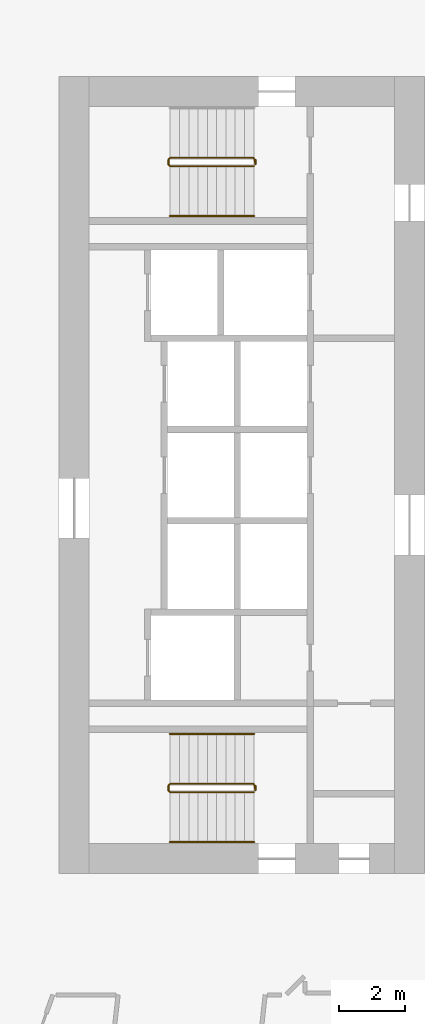
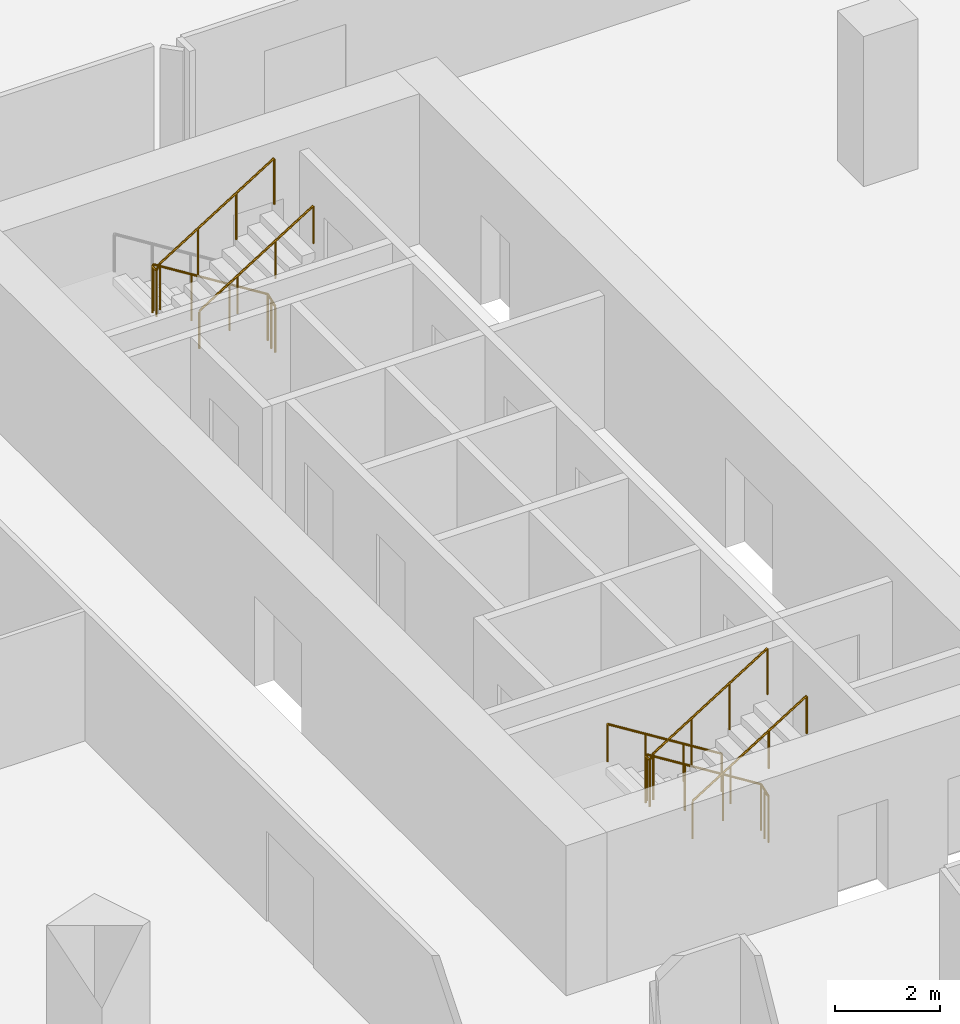
# One storey, part 34 of 38: 5 railings.
"""IFC4 building model written with IfcOpenShell, lengths in metres."""

import ifcopenshell
import ifcopenshell.guid

model = None  # the IFC model being written
_history = None  # IfcOwnerHistory: only IFC2X3 demands one
_inside = {}  # id of a spatial element -> (the spatial element, [elements in it])
_under = {}  # id of a project, library or spatial element -> (it, [spatial elements below it])
_declared = {}  # id of a project -> (the project, [libraries it declares])
_typed = {}  # id of a type object -> (the type object, [elements of that type])
_made_of = {}  # id of a material, layer set ... -> (it, [elements and type objects made of it])


def new_model(schema):
    """Start an empty IFC model of exactly this schema.

    Asked for "IFC4X3", IfcOpenShell would pick the latest addendum, in which some entities
    have other attributes; the version numbers below select the first issue.
    IFC2X3 requires an IfcOwnerHistory on every rooted entity: one is made here for all.
    """
    global model, _history
    if schema == "IFC4X3":
        model = ifcopenshell.file(schema_version=(4, 3, 0, 0))
    else:
        model = ifcopenshell.file(schema=schema)
    _inside.clear()
    _under.clear()
    _declared.clear()
    _typed.clear()
    _made_of.clear()
    _history = None
    if model.schema == "IFC2X3":
        org = make("IfcOrganization", Name="unknown")
        user = make(
            "IfcPersonAndOrganization",
            ThePerson=make("IfcPerson", FamilyName="unknown"),
            TheOrganization=org,
        )
        app = make(
            "IfcApplication",
            ApplicationDeveloper=org,
            Version="unknown",
            ApplicationFullName="unknown",
            ApplicationIdentifier="unknown",
        )
        _history = make(
            "IfcOwnerHistory",
            OwningUser=user,
            OwningApplication=app,
            ChangeAction="ADDED",
            CreationDate=0,
        )
    return model


def make(cls, **values):
    """One entity of the class cls with the attributes given. An attribute that is None is left unset."""
    return model.create_entity(
        cls, **{name: value for name, value in values.items() if value is not None}
    )


def rooted(cls, **values):
    """An entity with a GlobalId (a new one), such as an element, a storey or a relation."""
    return make(cls, GlobalId=ifcopenshell.guid.new(), OwnerHistory=_history, **values)


def si_unit(unit_type, name, prefix=None):
    """IfcSIUnit, for example si_unit("LENGTHUNIT", "METRE", prefix="MILLI")."""
    return make("IfcSIUnit", UnitType=unit_type, Prefix=prefix, Name=name)


def assignment(units):
    """IfcUnitAssignment: the units of a project."""
    return None if units is None else make("IfcUnitAssignment", Units=units)


def point(xyz):
    """IfcCartesianPoint."""
    return None if xyz is None else make("IfcCartesianPoint", Coordinates=xyz)


def direction(xyz):
    """IfcDirection."""
    return None if xyz is None else make("IfcDirection", DirectionRatios=xyz)


def frame(location, z_axis=None, x_axis=None):
    """IfcAxis2Placement3D, a coordinate frame: its origin and axes. An axis left out is left unset."""
    return make(
        "IfcAxis2Placement3D",
        Location=point(location),
        Axis=direction(z_axis),
        RefDirection=direction(x_axis),
    )


def frame_2d(location, x_axis=None):
    """IfcAxis2Placement2D, a coordinate frame in the plane: its origin and x axis."""
    return make(
        "IfcAxis2Placement2D", Location=point(location), RefDirection=direction(x_axis)
    )


def origin():
    """The frame at (0, 0, 0) with its axes left unset."""
    return frame((0.0, 0.0, 0.0))


def origin_2d():
    """The frame at (0, 0) in the plane with its x axis left unset."""
    return frame_2d((0.0, 0.0))


def place(relative_to, where):
    """IfcLocalPlacement: puts the frame where relative to a parent placement (None: the world)."""
    return make(
        "IfcLocalPlacement", PlacementRelTo=relative_to, RelativePlacement=where
    )


def context(
    kind, dimensions, precision=None, world=None, true_north=None, identifier=None
):
    """IfcGeometricRepresentationContext, for example the 3D "Model" context."""
    return make(
        "IfcGeometricRepresentationContext",
        ContextIdentifier=identifier,
        ContextType=kind,
        CoordinateSpaceDimension=dimensions,
        Precision=precision,
        WorldCoordinateSystem=world,
        TrueNorth=true_north,
    )


def subcontext(parent, identifier, kind, view, scale=None):
    """IfcGeometricRepresentationSubContext, for example "Body" below "Model"."""
    return make(
        "IfcGeometricRepresentationSubContext",
        ContextIdentifier=identifier,
        ContextType=kind,
        ParentContext=parent,
        TargetScale=scale,
        TargetView=view,
    )


def project(units=None, contexts=None):
    """IfcProject with its units and contexts."""
    return rooted(
        "IfcProject",
        Name="project",
        RepresentationContexts=contexts,
        UnitsInContext=assignment(units),
    )


def spatial(cls, under=None, at=None, **own):
    """A site, building, storey or space (cls), placed at a placement, below another one or the project."""
    s = rooted(cls, ObjectPlacement=at, **own)
    if under is not None:
        _under.setdefault(under.id(), (under, []))[1].append(s)
    return s


def profile(cls, at=None, kind="AREA", **sizes):
    """A parametric profile (cls). Its sizes go by their IFC names, for example OverallWidth=200.0."""
    return make(cls, ProfileType=kind, Position=at, **sizes)


def circle(**sizes):
    """IfcCircleProfileDef."""
    return profile("IfcCircleProfileDef", **sizes)


def extrude(swept, where, along, depth):
    """IfcExtrudedAreaSolid: the profile swept, set in the frame where, extruded along a direction by depth."""
    return make(
        "IfcExtrudedAreaSolid",
        SweptArea=swept,
        Position=where,
        ExtrudedDirection=direction(along),
        Depth=depth,
    )


def shape(context_of_items, identifier, shape_type, items):
    """IfcShapeRepresentation: the items that make up one representation, for example the "Body"."""
    return make(
        "IfcShapeRepresentation",
        ContextOfItems=context_of_items,
        RepresentationIdentifier=identifier,
        RepresentationType=shape_type,
        Items=items,
    )


def material(Name=None, Category=None):
    """IfcMaterial."""
    return make("IfcMaterial", Name=Name, Category=Category)


def made_of(thing, what):
    """Note that an element or type object is made of a material, layer set ...; save() writes the relation."""
    if what is not None:
        _made_of.setdefault(what.id(), (what, []))[1].append(thing)
    return thing


def type_object(cls, material=None, **own):
    """A type object (cls), such as IfcWallType, which elements share."""
    return made_of(rooted(cls, **own), material)


def element(
    cls,
    number,
    at=None,
    inside=None,
    cuts=None,
    type_object=None,
    material=None,
    context=None,
    identifier="Body",
    shape_type=None,
    held_by="IfcProductDefinitionShape",
    body=None,
    shapes=None,
    **own,
):
    """One element of the class cls, such as IfcWall. Its Tag is "e" and its number.

    at: its placement. inside: the storey or other place that contains it. cuts: it is an
    opening in that element (IfcRelVoidsElement). A single representation is given by context,
    identifier, shape_type and body (its items); several are given by shapes. held_by: the class
    of the entity that holds the representations. save() writes the other relations.
    """
    e = rooted(cls, Tag="e%d" % number, ObjectPlacement=at, **own)
    if body is not None:
        shapes = [shape(context, identifier, shape_type, body)]
    if shapes is not None:
        e.Representation = make(held_by, Representations=shapes)
    if inside is not None:
        _inside.setdefault(inside.id(), (inside, []))[1].append(e)
    if cuts is not None:
        rooted(
            "IfcRelVoidsElement", RelatingBuildingElement=cuts, RelatedOpeningElement=e
        )
    if type_object is not None:
        _typed.setdefault(type_object.id(), (type_object, []))[1].append(e)
    return made_of(e, material)


def aggregate(whole, parts):
    """IfcRelAggregates: a whole, such as a stair, and the parts it consists of."""
    return rooted("IfcRelAggregates", RelatingObject=whole, RelatedObjects=parts)


def save(model, path):
    """Write the relations noted so far, then the file.

    IfcRelAggregates (storeys below a building ...), IfcRelContainedInSpatialStructure (elements
    in a storey), IfcRelDefinesByType, IfcRelAssociatesMaterial and IfcRelDeclares: one each for
    every whole, place, type object, material and project.
    """
    for whole, parts in _under.values():
        aggregate(whole, parts)
    for where, things in _inside.values():
        rooted(
            "IfcRelContainedInSpatialStructure",
            RelatedElements=things,
            RelatingStructure=where,
        )
    for kind, things in _typed.values():
        rooted("IfcRelDefinesByType", RelatedObjects=things, RelatingType=kind)
    for what, things in _made_of.values():
        rooted("IfcRelAssociatesMaterial", RelatedObjects=things, RelatingMaterial=what)
    for by, libraries in _declared.values():
        rooted("IfcRelDeclares", RelatingContext=by, RelatedDefinitions=libraries)
    model.write(path)


model = new_model("IFC4")

# Units and contexts
model_context = context("Model", 3, precision=1e-05, world=origin(), true_north=direction((0.0, 1.0)))
body_context = subcontext(model_context, "Body", "Model", "MODEL_VIEW")
ifc_project = project(units=[si_unit("LENGTHUNIT", "METRE"), si_unit("AREAUNIT", "SQUARE_METRE"), si_unit("VOLUMEUNIT", "CUBIC_METRE"), si_unit("PLANEANGLEUNIT", "RADIAN"), si_unit("MASSUNIT", "GRAM", prefix="KILO")], contexts=[model_context])

# Site, building, storey
site_placement = place(None, origin())
site = spatial("IfcSite", under=ifc_project, at=site_placement, CompositionType="ELEMENT")
building_placement = place(site_placement, origin())
building = spatial("IfcBuilding", under=site, at=building_placement, Name="Orlundy Tower", CompositionType="ELEMENT")
storey_placement = place(building_placement, frame((0.0, 0.0, 69.300048828125)))
storey = spatial("IfcBuildingStorey", under=building, at=storey_placement, Name="L16", CompositionType="ELEMENT", Elevation=69.300048828125)

# Railings
ifc_material_1 = material(Name="Steel balustrade", Category="steel")
railing_type_1 = type_object("IfcRailingType", Name="Stair Guard 1100", PredefinedType="GUARDRAIL", material=ifc_material_1)
railing_1_placement = place(storey_placement, frame((-13.090087890625, 9.5, 0.0)))
element("IfcRailing", 1, at=railing_1_placement, inside=storey, type_object=railing_type_1, Name="L16 ST-W1 stair guard 1", PredefinedType="GUARDRAIL", context=body_context, shape_type="SweptSolid", body=[
    extrude(circle(Radius=0.02392578125, at=origin_2d()), frame((0.0, 0.0, 1.076171875), z_axis=(0.0, -1.0, 0.0), x_axis=(1.0, 0.0, 0.0)), (0.0, 0.0, 1.0), 0.14990234375),
    extrude(circle(Radius=0.02392578125, at=origin_2d()), frame((0.0, -0.14990234375, 1.076171875), z_axis=(-0.18420542264, 0.739530593833, 0.647427882513), x_axis=(-0.970351222016, -0.241699205484, 0.0)), (0.0, 0.0, 1.0), 0.270263671875),
    extrude(circle(Radius=0.02392578125, at=origin_2d()), frame((-0.0498046875, 0.050048828125, 1.2509765625), z_axis=(-0.848007534815, 0.0, 0.529984170421), x_axis=(0.0, -1.0, 0.0)), (0.0, 0.0, 1.0), 2.9716796875),
    extrude(circle(Radius=0.02392578125, at=origin_2d()), frame((-2.56982421875, 0.050048828125, 2.826171875), z_axis=(-0.707106781187, -0.707106781187, 0.0), x_axis=(0.707106781187, -0.707106781187, 0.0)), (0.0, 0.0, 1.0), 0.07080078125),
    extrude(circle(Radius=0.02392578125, at=origin_2d()), frame((-2.619873046875, 0.0, 2.826171875), z_axis=(0.0, -1.0, 0.0), x_axis=(1.0, 0.0, 0.0)), (0.0, 0.0, 1.0), 0.14990234375),
    extrude(circle(Radius=0.02392578125, at=origin_2d()), frame((-2.619873046875, -0.14990234375, 2.826171875), z_axis=(0.265065253269, -0.265065253269, 0.927081885822), x_axis=(0.707106781187, 0.707106781187, 0.0)), (0.0, 0.0, 1.0), 0.188720703125),
    extrude(circle(Radius=0.02392578125, at=origin_2d()), frame((-2.56982421875, -0.199951171875, 3.0009765625), z_axis=(0.848007534815, 0.0, 0.529984170421), x_axis=(0.0, 1.0, 0.0)), (0.0, 0.0, 1.0), 2.9716796875),
    extrude(circle(Radius=0.02099609375, at=origin_2d()), origin(), (0.0, 0.0, 1.0), 1.052001953125),
    extrude(circle(Radius=0.02099609375, at=origin_2d()), frame((0.0, -0.14990234375, 0.0)), (0.0, 0.0, 1.0), 1.052001953125),
    extrude(circle(Radius=0.02099609375, at=origin_2d()), frame((-0.0498046875, 0.050048828125, 0.175048828125)), (0.0, 0.0, 1.0), 1.052001953125),
    extrude(circle(Radius=0.02099609375, at=origin_2d()), frame((-0.889892578125, 0.050048828125, 0.699951171875)), (0.0, 0.0, 1.0), 1.052001953125),
    extrude(circle(Radius=0.02099609375, at=origin_2d()), frame((-1.729736328125, 0.050048828125, 1.22509765625)), (0.0, 0.0, 1.0), 1.052001953125),
    extrude(circle(Radius=0.02099609375, at=origin_2d()), frame((-2.56982421875, 0.050048828125, 1.75)), (0.0, 0.0, 1.0), 1.052001953125),
    extrude(circle(Radius=0.02099609375, at=origin_2d()), frame((-2.619873046875, 0.0, 1.75)), (0.0, 0.0, 1.0), 1.052001953125),
    extrude(circle(Radius=0.02099609375, at=origin_2d()), frame((-2.619873046875, -0.14990234375, 1.75)), (0.0, 0.0, 1.0), 1.052001953125),
    extrude(circle(Radius=0.02099609375, at=origin_2d()), frame((-2.56982421875, -0.199951171875, 1.925048828125)), (0.0, 0.0, 1.0), 1.052001953125),
    extrude(circle(Radius=0.02099609375, at=origin_2d()), frame((-1.729736328125, -0.199951171875, 2.449951171875)), (0.0, 0.0, 1.0), 1.052001953125),
    extrude(circle(Radius=0.02099609375, at=origin_2d()), frame((-0.889892578125, -0.199951171875, 2.97509765625)), (0.0, 0.0, 1.0), 1.052001953125),
    extrude(circle(Radius=0.02099609375, at=origin_2d()), frame((-0.0498046875, -0.199951171875, 3.5)), (0.0, 0.0, 1.0), 1.052001953125),
])
railing_2_placement = place(storey_placement, frame((-13.090087890625, -9.35009765625, 0.0)))
element("IfcRailing", 2, at=railing_2_placement, inside=storey, type_object=railing_type_1, Name="L16 ST-W2 stair guard 1", PredefinedType="GUARDRAIL", context=body_context, shape_type="SweptSolid", body=[
    extrude(circle(Radius=0.02392578125, at=origin_2d()), frame((0.0, 0.0, 1.076171875), z_axis=(0.0, -1.0, 0.0), x_axis=(1.0, 0.0, 0.0)), (0.0, 0.0, 1.0), 0.14990234375),
    extrude(circle(Radius=0.02392578125, at=origin_2d()), frame((0.0, -0.14990234375, 1.076171875), z_axis=(-0.18420542264, 0.739530593833, 0.647427882513), x_axis=(-0.970351222016, -0.241699205484, 0.0)), (0.0, 0.0, 1.0), 0.270263671875),
    extrude(circle(Radius=0.02392578125, at=origin_2d()), frame((-0.0498046875, 0.050048828125, 1.2509765625), z_axis=(-0.848007534815, 0.0, 0.529984170421), x_axis=(0.0, -1.0, 0.0)), (0.0, 0.0, 1.0), 2.9716796875),
    extrude(circle(Radius=0.02392578125, at=origin_2d()), frame((-2.56982421875, 0.050048828125, 2.826171875), z_axis=(-0.707106781187, -0.707106781187, 0.0), x_axis=(0.707106781187, -0.707106781187, 0.0)), (0.0, 0.0, 1.0), 0.07080078125),
    extrude(circle(Radius=0.02392578125, at=origin_2d()), frame((-2.619873046875, 0.0, 2.826171875), z_axis=(0.0, -1.0, 0.0), x_axis=(1.0, 0.0, 0.0)), (0.0, 0.0, 1.0), 0.14990234375),
    extrude(circle(Radius=0.02392578125, at=origin_2d()), frame((-2.619873046875, -0.14990234375, 2.826171875), z_axis=(0.265065253269, -0.265065253269, 0.927081885822), x_axis=(0.707106781187, 0.707106781187, 0.0)), (0.0, 0.0, 1.0), 0.188720703125),
    extrude(circle(Radius=0.02392578125, at=origin_2d()), frame((-2.56982421875, -0.199951171875, 3.0009765625), z_axis=(0.848007534815, 0.0, 0.529984170421), x_axis=(0.0, 1.0, 0.0)), (0.0, 0.0, 1.0), 2.9716796875),
    extrude(circle(Radius=0.02099609375, at=origin_2d()), origin(), (0.0, 0.0, 1.0), 1.052001953125),
    extrude(circle(Radius=0.02099609375, at=origin_2d()), frame((0.0, -0.14990234375, 0.0)), (0.0, 0.0, 1.0), 1.052001953125),
    extrude(circle(Radius=0.02099609375, at=origin_2d()), frame((-0.0498046875, 0.050048828125, 0.175048828125)), (0.0, 0.0, 1.0), 1.052001953125),
    extrude(circle(Radius=0.02099609375, at=origin_2d()), frame((-0.889892578125, 0.050048828125, 0.699951171875)), (0.0, 0.0, 1.0), 1.052001953125),
    extrude(circle(Radius=0.02099609375, at=origin_2d()), frame((-1.729736328125, 0.050048828125, 1.22509765625)), (0.0, 0.0, 1.0), 1.052001953125),
    extrude(circle(Radius=0.02099609375, at=origin_2d()), frame((-2.56982421875, 0.050048828125, 1.75)), (0.0, 0.0, 1.0), 1.052001953125),
    extrude(circle(Radius=0.02099609375, at=origin_2d()), frame((-2.619873046875, 0.0, 1.75)), (0.0, 0.0, 1.0), 1.052001953125),
    extrude(circle(Radius=0.02099609375, at=origin_2d()), frame((-2.619873046875, -0.14990234375, 1.75)), (0.0, 0.0, 1.0), 1.052001953125),
    extrude(circle(Radius=0.02099609375, at=origin_2d()), frame((-2.56982421875, -0.199951171875, 1.925048828125)), (0.0, 0.0, 1.0), 1.052001953125),
    extrude(circle(Radius=0.02099609375, at=origin_2d()), frame((-1.729736328125, -0.199951171875, 2.449951171875)), (0.0, 0.0, 1.0), 1.052001953125),
    extrude(circle(Radius=0.02099609375, at=origin_2d()), frame((-0.889892578125, -0.199951171875, 2.97509765625)), (0.0, 0.0, 1.0), 1.052001953125),
    extrude(circle(Radius=0.02099609375, at=origin_2d()), frame((-0.0498046875, -0.199951171875, 3.5)), (0.0, 0.0, 1.0), 1.052001953125),
])
ifc_material_2 = material(Name="Steel handrail", Category="steel")
railing_type_2 = type_object("IfcRailingType", Name="Stair Handrail 900", PredefinedType="HANDRAIL", material=ifc_material_2)
railing_3_placement = place(storey_placement, frame((-15.659912109375, 7.800048828125, 1.925048828125)))
element("IfcRailing", 3, at=railing_3_placement, inside=storey, type_object=railing_type_2, Name="L16 ST-W1 stair handrail 2", PredefinedType="HANDRAIL", context=body_context, shape_type="SweptSolid", body=[
    extrude(circle(Radius=0.02392578125, at=origin_2d()), frame((0.0, 0.0, 0.8759765625), z_axis=(0.848007534815, 0.0, 0.529984170421), x_axis=(0.0, 1.0, 0.0)), (0.0, 0.0, 1.0), 2.9716796875),
    extrude(circle(Radius=0.02099609375, at=origin_2d()), origin(), (0.0, 0.0, 1.0), 0.851806640625),
    extrude(circle(Radius=0.02099609375, at=origin_2d()), frame((0.840087890625, 0.0, 0.52490234375)), (0.0, 0.0, 1.0), 0.851806640625),
    extrude(circle(Radius=0.02099609375, at=origin_2d()), frame((1.679931640625, 0.0, 1.050048828125)), (0.0, 0.0, 1.0), 0.851806640625),
    extrude(circle(Radius=0.02099609375, at=origin_2d()), frame((2.52001953125, 0.0, 1.574951171875)), (0.0, 0.0, 1.0), 0.851806640625),
])
railing_4_placement = place(storey_placement, frame((-13.139892578125, -7.800048828125, 0.175048828125)))
element("IfcRailing", 4, at=railing_4_placement, inside=storey, type_object=railing_type_2, Name="L16 ST-W2 stair handrail 1", PredefinedType="HANDRAIL", context=body_context, shape_type="SweptSolid", body=[
    extrude(circle(Radius=0.02392578125, at=origin_2d()), frame((0.0, 0.0, 0.8759765625), z_axis=(-0.848007534815, 0.0, 0.529984170421), x_axis=(0.0, -1.0, 0.0)), (0.0, 0.0, 1.0), 2.9716796875),
    extrude(circle(Radius=0.02099609375, at=origin_2d()), origin(), (0.0, 0.0, 1.0), 0.851806640625),
    extrude(circle(Radius=0.02099609375, at=origin_2d()), frame((-0.840087890625, 0.0, 0.52490234375)), (0.0, 0.0, 1.0), 0.851806640625),
    extrude(circle(Radius=0.02099609375, at=origin_2d()), frame((-1.679931640625, 0.0, 1.050048828125)), (0.0, 0.0, 1.0), 0.851806640625),
    extrude(circle(Radius=0.02099609375, at=origin_2d()), frame((-2.52001953125, 0.0, 1.574951171875)), (0.0, 0.0, 1.0), 0.851806640625),
])
railing_5_placement = place(storey_placement, frame((-15.659912109375, -11.050048828125, 1.925048828125)))
element("IfcRailing", 5, at=railing_5_placement, inside=storey, type_object=railing_type_2, Name="L16 ST-W2 stair handrail 2", PredefinedType="HANDRAIL", context=body_context, shape_type="SweptSolid", body=[
    extrude(circle(Radius=0.02392578125, at=origin_2d()), frame((0.0, 0.0, 0.8759765625), z_axis=(0.848007534815, 0.0, 0.529984170421), x_axis=(0.0, 1.0, 0.0)), (0.0, 0.0, 1.0), 2.9716796875),
    extrude(circle(Radius=0.02099609375, at=origin_2d()), origin(), (0.0, 0.0, 1.0), 0.851806640625),
    extrude(circle(Radius=0.02099609375, at=origin_2d()), frame((0.840087890625, 0.0, 0.52490234375)), (0.0, 0.0, 1.0), 0.851806640625),
    extrude(circle(Radius=0.02099609375, at=origin_2d()), frame((1.679931640625, 0.0, 1.050048828125)), (0.0, 0.0, 1.0), 0.851806640625),
    extrude(circle(Radius=0.02099609375, at=origin_2d()), frame((2.52001953125, 0.0, 1.574951171875)), (0.0, 0.0, 1.0), 0.851806640625),
])

save(model, "model.ifc")
